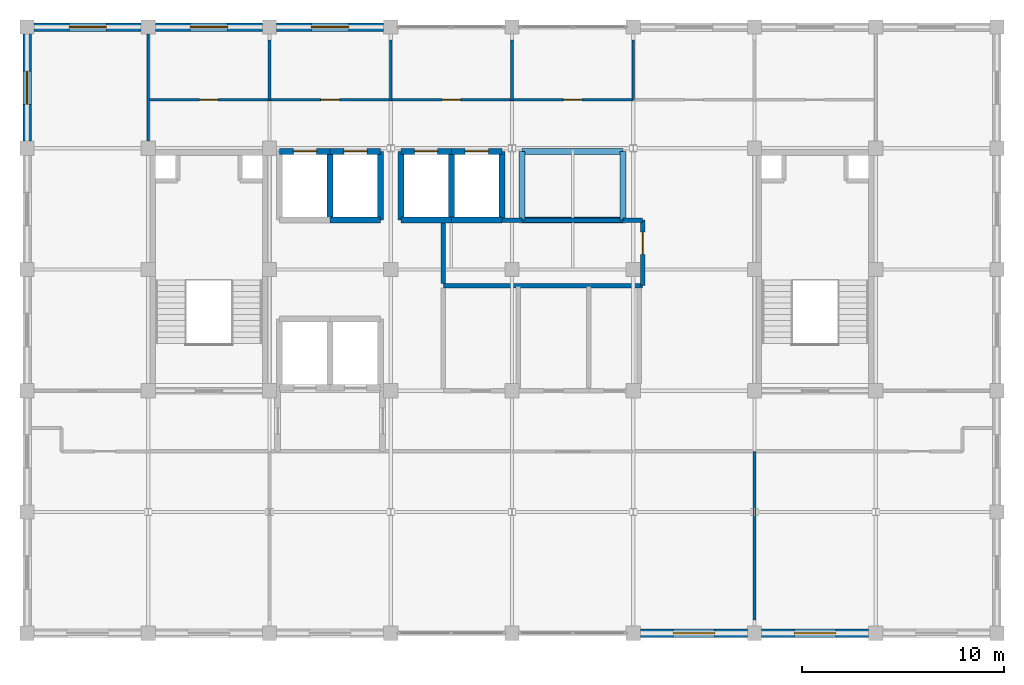
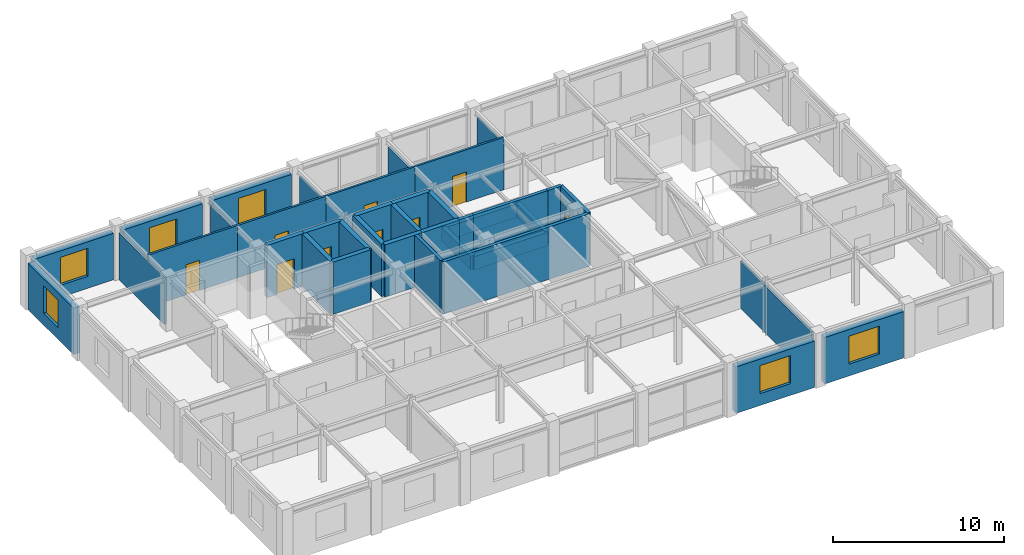
# One storey, part 10 of 13: 38 walls, 9 doors, 6 windows, 15 openings.
"""IFC4 building model written with IfcOpenShell, lengths in metres."""

from ifc_helpers import new_model, si_unit, direction, frame, frame_2d, origin, place, context, subcontext, project, spatial, rectangle, extrude, material, layer, layer_set, type_object, element, fill, save


model = new_model("IFC4")

# Units and contexts
model_context = context("Model", 3, precision=1e-05, world=origin(), true_north=direction((0.0, 1.0)))
body_context = subcontext(model_context, "Body", "Model", "MODEL_VIEW")
ifc_project = project(units=[si_unit("LENGTHUNIT", "METRE"), si_unit("AREAUNIT", "SQUARE_METRE"), si_unit("VOLUMEUNIT", "CUBIC_METRE"), si_unit("PLANEANGLEUNIT", "RADIAN"), si_unit("MASSUNIT", "GRAM", prefix="KILO")], contexts=[model_context])

# Site, building, storey
site_placement = place(None, origin())
site = spatial("IfcSite", under=ifc_project, at=site_placement, CompositionType="ELEMENT")
building_placement = place(site_placement, origin())
building = spatial("IfcBuilding", under=site, at=building_placement, Name="Zlatovratsky Civic Hall", CompositionType="ELEMENT")
storey_placement = place(building_placement, frame((0.0, 0.0, 44.39990234375)))
storey = spatial("IfcBuildingStorey", under=building, at=storey_placement, Name="L11", CompositionType="ELEMENT", Elevation=44.39990234375)

# Wall, opening, door
ifc_material_1 = material(Name="Fire-rated gypsum board framing", Category="gypsum")
ifc_layer_1 = layer(ifc_material_1, 0.139892578125)
ifc_layer_set_1 = layer_set([ifc_layer_1], Name="Fire-rated gypsum board framing")
wall_type_1 = type_object("IfcWallType", Name="Wall_OfficePartition_140", PredefinedType="PARTITIONING", material=ifc_layer_set_1)
wall_1_placement = place(storey_placement, frame((66.0, 98.39990234375, 0.0), z_axis=(0.0, 0.0, 1.0), x_axis=(1.0, 0.0, 0.0)))
wall_1 = element("IfcWall", 1, at=wall_1_placement, inside=storey, type_object=wall_type_1, Name="WL-6537", PredefinedType="PARTITIONING", context=body_context, shape_type="SweptSolid", body=[
    extrude(rectangle(XDim=6.0, YDim=0.139892578125, at=frame_2d((3.0, 0.0))), origin(), (0.0, 0.0, 1.0), 3.739990234375),
])
opening_1_placement = place(wall_1_placement, frame((2.5400390625, 0.0, 0.0)))
opening_1 = element("IfcOpeningElement", 2, at=opening_1_placement, cuts=wall_1, Name="Opening D-23", PredefinedType="OPENING", context=body_context, shape_type="SweptSolid", body=[
    extrude(rectangle(XDim=0.919921875, YDim=2.14990234375, at=frame_2d((0.4599609375, 1.074951171875))), frame((0.0, 0.0849609375, 0.0), z_axis=(0.0, -1.0, 0.0), x_axis=(1.0, 0.0, 0.0)), (0.0, 0.0, 1.0), 0.169677734375),
])
ifc_material_2 = material(Name="Solid oak joinery in steel frame", Category="steel")
door_type_1 = type_object("IfcDoorType", Name="Door_OfficeStandard_920x2150", OperationType="NOTDEFINED", PredefinedType="DOOR", material=ifc_material_2)
door_1_placement = place(opening_1_placement, origin())
door_1 = element("IfcDoor", 3, at=door_1_placement, inside=storey, type_object=door_type_1, Name="DR-5461", OperationType="SINGLE_SWING_RIGHT", OverallHeight=2.14990234375, OverallWidth=0.919921875, PredefinedType="DOOR", context=body_context, shape_type="SweptSolid", body=[
    extrude(rectangle(XDim=0.919921875, YDim=2.14990234375, at=frame_2d((0.4599609375, 1.074951171875))), frame((0.0, 0.02490234375, 0.0), z_axis=(0.0, -1.0, 0.0), x_axis=(1.0, 0.0, 0.0)), (0.0, 0.0, 1.0), 0.050048828125),
])
fill(opening_1, door_1)

wall_2_placement = place(storey_placement, frame((72.0, 98.39990234375, 0.0), z_axis=(0.0, 0.0, 1.0), x_axis=(1.0, 0.0, 0.0)))
wall_2 = element("IfcWall", 4, at=wall_2_placement, inside=storey, type_object=wall_type_1, Name="WL-6538", PredefinedType="PARTITIONING", context=body_context, shape_type="SweptSolid", body=[
    extrude(rectangle(XDim=6.0, YDim=0.139892578125, at=frame_2d((3.0, 0.0))), origin(), (0.0, 0.0, 1.0), 3.739990234375),
])
opening_2_placement = place(wall_2_placement, frame((2.5400390625, 0.0, 0.0)))
opening_2 = element("IfcOpeningElement", 5, at=opening_2_placement, cuts=wall_2, Name="Opening D-23", PredefinedType="OPENING", context=body_context, shape_type="SweptSolid", body=[
    extrude(rectangle(XDim=0.919921875, YDim=2.14990234375, at=frame_2d((0.4599609375, 1.074951171875))), frame((0.0, 0.0849609375, 0.0), z_axis=(0.0, -1.0, 0.0), x_axis=(1.0, 0.0, 0.0)), (0.0, 0.0, 1.0), 0.169677734375),
])
door_2_placement = place(opening_2_placement, origin())
door_2 = element("IfcDoor", 6, at=door_2_placement, inside=storey, type_object=door_type_1, Name="DR-5462", OperationType="SINGLE_SWING_RIGHT", OverallHeight=2.14990234375, OverallWidth=0.919921875, PredefinedType="DOOR", context=body_context, shape_type="SweptSolid", body=[
    extrude(rectangle(XDim=0.919921875, YDim=2.14990234375, at=frame_2d((0.4599609375, 1.074951171875))), frame((0.0, 0.02490234375, 0.0), z_axis=(0.0, -1.0, 0.0), x_axis=(1.0, 0.0, 0.0)), (0.0, 0.0, 1.0), 0.050048828125),
])
fill(opening_2, door_2)

wall_3_placement = place(storey_placement, frame((78.0, 98.39990234375, 0.0), z_axis=(0.0, 0.0, 1.0), x_axis=(1.0, 0.0, 0.0)))
wall_3 = element("IfcWall", 7, at=wall_3_placement, inside=storey, type_object=wall_type_1, Name="WL-6539", PredefinedType="PARTITIONING", context=body_context, shape_type="SweptSolid", body=[
    extrude(rectangle(XDim=6.0, YDim=0.139892578125, at=frame_2d((3.0, 0.0))), origin(), (0.0, 0.0, 1.0), 3.739990234375),
])
opening_3_placement = place(wall_3_placement, frame((2.5400390625, 0.0, 0.0)))
opening_3 = element("IfcOpeningElement", 8, at=opening_3_placement, cuts=wall_3, Name="Opening D-23", PredefinedType="OPENING", context=body_context, shape_type="SweptSolid", body=[
    extrude(rectangle(XDim=0.919921875, YDim=2.14990234375, at=frame_2d((0.4599609375, 1.074951171875))), frame((0.0, 0.0849609375, 0.0), z_axis=(0.0, -1.0, 0.0), x_axis=(1.0, 0.0, 0.0)), (0.0, 0.0, 1.0), 0.169677734375),
])
door_3_placement = place(opening_3_placement, origin())
door_3 = element("IfcDoor", 9, at=door_3_placement, inside=storey, type_object=door_type_1, Name="DR-5463", OperationType="SINGLE_SWING_RIGHT", OverallHeight=2.14990234375, OverallWidth=0.919921875, PredefinedType="DOOR", context=body_context, shape_type="SweptSolid", body=[
    extrude(rectangle(XDim=0.919921875, YDim=2.14990234375, at=frame_2d((0.4599609375, 1.074951171875))), frame((0.0, 0.02490234375, 0.0), z_axis=(0.0, -1.0, 0.0), x_axis=(1.0, 0.0, 0.0)), (0.0, 0.0, 1.0), 0.050048828125),
])
fill(opening_3, door_3)

wall_4_placement = place(storey_placement, frame((84.0, 98.39990234375, 0.0), z_axis=(0.0, 0.0, 1.0), x_axis=(1.0, 0.0, 0.0)))
wall_4 = element("IfcWall", 10, at=wall_4_placement, inside=storey, type_object=wall_type_1, Name="WL-6540", PredefinedType="PARTITIONING", context=body_context, shape_type="SweptSolid", body=[
    extrude(rectangle(XDim=6.0, YDim=0.139892578125, at=frame_2d((3.0, 0.0))), origin(), (0.0, 0.0, 1.0), 3.739990234375),
])
opening_4_placement = place(wall_4_placement, frame((2.5400390625, 0.0, 0.0)))
opening_4 = element("IfcOpeningElement", 11, at=opening_4_placement, cuts=wall_4, Name="Opening D-23", PredefinedType="OPENING", context=body_context, shape_type="SweptSolid", body=[
    extrude(rectangle(XDim=0.919921875, YDim=2.14990234375, at=frame_2d((0.4599609375, 1.074951171875))), frame((0.0, 0.0849609375, 0.0), z_axis=(0.0, -1.0, 0.0), x_axis=(1.0, 0.0, 0.0)), (0.0, 0.0, 1.0), 0.169677734375),
])
door_4_placement = place(opening_4_placement, origin())
door_4 = element("IfcDoor", 12, at=door_4_placement, inside=storey, type_object=door_type_1, Name="DR-5464", OperationType="SINGLE_SWING_RIGHT", OverallHeight=2.14990234375, OverallWidth=0.919921875, PredefinedType="DOOR", context=body_context, shape_type="SweptSolid", body=[
    extrude(rectangle(XDim=0.919921875, YDim=2.14990234375, at=frame_2d((0.4599609375, 1.074951171875))), frame((0.0, 0.02490234375, 0.0), z_axis=(0.0, -1.0, 0.0), x_axis=(1.0, 0.0, 0.0)), (0.0, 0.0, 1.0), 0.050048828125),
])
fill(opening_4, door_4)

# Walls
wall_5_placement = place(storey_placement, frame((96.0, 72.64990234375, 0.0), z_axis=(0.0, 0.0, 1.0), x_axis=(0.0, 1.0, 0.0)))
element("IfcWall", 13, at=wall_5_placement, inside=storey, type_object=wall_type_1, Name="WL-6544", PredefinedType="PARTITIONING", context=body_context, shape_type="SweptSolid", body=[
    extrude(rectangle(XDim=8.35009765625, YDim=0.139892578125, at=frame_2d((4.175048828125, 0.0))), origin(), (0.0, 0.0, 1.0), 3.34814453125),
])
for number, where, z_axis, x_axis, name in (
    (14, (72.0, 98.39990234375, 0.0), (0.0, 0.0, 1.0), (0.0, 1.0, 0.0), "WL-6545"),
    (15, (78.0, 98.39990234375, 0.0), (0.0, 0.0, 1.0), (0.0, 1.0, 0.0), "WL-6546"),
    (16, (84.0, 98.39990234375, 0.0), (0.0, 0.0, 1.0), (0.0, 1.0, 0.0), "WL-6547"),
    (17, (90.0, 98.39990234375, 0.0), (0.0, 0.0, 1.0), (0.0, 1.0, 0.0), "WL-6548"),
):
    element("IfcWall", number, at=place(storey_placement, frame(where, z_axis=z_axis, x_axis=x_axis)), inside=storey, type_object=wall_type_1, Name=name, PredefinedType="PARTITIONING", context=body_context, shape_type="SweptSolid", body=[
        extrude(rectangle(XDim=2.9501953125, YDim=0.139892578125, at=frame_2d((1.47509765625, 0.0))), origin(), (0.0, 0.0, 1.0), 3.34814453125),
    ])
wall_6_placement = place(storey_placement, frame((66.0, 96.35009765625, 0.0), z_axis=(0.0, 0.0, 1.0), x_axis=(0.0, 1.0, 0.0)))
element("IfcWall", 18, at=wall_6_placement, inside=storey, type_object=wall_type_1, Name="WL-6562", PredefinedType="PARTITIONING", context=body_context, shape_type="SweptSolid", body=[
    extrude(rectangle(XDim=5.2998046875, YDim=0.139892578125, at=frame_2d((2.64990234375, 0.0))), origin(), (0.0, 0.0, 1.0), 3.34814453125),
])
ifc_material_3 = material(Name="Acoustic ceramic blockwork", Category="masonry")
ifc_layer_2 = layer(ifc_material_3, 0.219970703125)
ifc_layer_set_2 = layer_set([ifc_layer_2], Name="Acoustic ceramic blockwork")
wall_type_2 = type_object("IfcWallType", Name="Wall_SanitaryWetCore_220", PredefinedType="PARTITIONING", material=ifc_layer_set_2)
wall_7_placement = place(storey_placement, frame((80.60009765625, 89.199951171875, 0.0), z_axis=(0.0, 0.0, 1.0), x_axis=(1.0, 0.0, 0.0)))
element("IfcWall", 19, at=wall_7_placement, inside=storey, type_object=wall_type_2, Name="WL-6530", PredefinedType="PARTITIONING", context=body_context, shape_type="SweptSolid", body=[
    extrude(rectangle(XDim=9.869873046875, YDim=0.219970703125, at=frame_2d((4.93505859375, 0.0))), origin(), (0.0, 0.0, 1.0), 3.739990234375),
])

# Wall, opening, door
wall_8_placement = place(storey_placement, frame((90.469970703125, 89.199951171875, 0.0), z_axis=(0.0, 0.0, 1.0), x_axis=(0.0, 1.0, 0.0)))
wall_8 = element("IfcWall", 20, at=wall_8_placement, inside=storey, type_object=wall_type_2, Name="WL-6531", PredefinedType="PARTITIONING", context=body_context, shape_type="SweptSolid", body=[
    extrude(rectangle(XDim=3.25, YDim=0.219970703125, at=frame_2d((1.625, 0.0))), origin(), (0.0, 0.0, 1.0), 3.739990234375),
])
opening_5_placement = place(wall_8_placement, frame((1.550048828125, 0.0, 0.0)))
opening_5 = element("IfcOpeningElement", 21, at=opening_5_placement, cuts=wall_8, Name="Opening D-30", PredefinedType="OPENING", context=body_context, shape_type="SweptSolid", body=[
    extrude(rectangle(XDim=1.10009765625, YDim=2.14990234375, at=frame_2d((0.550048828125, 1.074951171875))), frame((0.0, 0.125, 0.0), z_axis=(0.0, -1.0, 0.0), x_axis=(1.0, 0.0, 0.0)), (0.0, 0.0, 1.0), 0.249755859375),
])
ifc_material_4 = material(Name="Insulated painted fire-rated steel leaf", Category="steel")
door_type_2 = type_object("IfcDoorType", Name="Door_ElectricalRoom_1100x2150", OperationType="NOTDEFINED", PredefinedType="DOOR", material=ifc_material_4)
door_5_placement = place(opening_5_placement, origin())
door_5 = element("IfcDoor", 22, at=door_5_placement, inside=storey, type_object=door_type_2, Name="DR-5455", OperationType="SINGLE_SWING_RIGHT", OverallHeight=2.14990234375, OverallWidth=1.10009765625, PredefinedType="DOOR", context=body_context, shape_type="SweptSolid", body=[
    extrude(rectangle(XDim=1.10009765625, YDim=2.14990234375, at=frame_2d((0.550048828125, 1.074951171875))), frame((0.0, 0.02490234375, 0.0), z_axis=(0.0, -1.0, 0.0), x_axis=(1.0, 0.0, 0.0)), (0.0, 0.0, 1.0), 0.050048828125),
])
fill(opening_5, door_5)

# Walls
wall_9_placement = place(storey_placement, frame((80.60009765625, 89.31005859375, 0.0), z_axis=(0.0, 0.0, 1.0), x_axis=(0.0, 1.0, 0.0)))
element("IfcWall", 23, at=wall_9_placement, inside=storey, type_object=wall_type_2, Name="WL-6552", PredefinedType="PARTITIONING", context=body_context, shape_type="SweptSolid", body=[
    extrude(rectangle(XDim=2.989990234375, YDim=0.219970703125, at=frame_2d((1.4951171875, 0.0))), origin(), (0.0, 0.0, 1.0), 3.739990234375),
])
wall_10_placement = place(storey_placement, frame((83.5, 92.449951171875, 0.0), z_axis=(0.0, 0.0, 1.0), x_axis=(1.0, 0.0, 0.0)))
element("IfcWall", 24, at=wall_10_placement, inside=storey, type_object=wall_type_2, Name="WL-6553", PredefinedType="PARTITIONING", context=body_context, shape_type="SweptSolid", body=[
    extrude(rectangle(XDim=1.0, YDim=0.219970703125, at=frame_2d((0.5, 0.0))), origin(), (0.0, 0.0, 1.0), 3.739990234375),
])
wall_11_placement = place(storey_placement, frame((84.5, 92.449951171875, 0.800048828125), z_axis=(0.0, 0.0, 1.0), x_axis=(1.0, 0.0, 0.0)))
element("IfcWall", 25, at=wall_11_placement, inside=storey, type_object=wall_type_2, Name="WL-6554", PredefinedType="PARTITIONING", context=body_context, shape_type="SweptSolid", body=[
    extrude(rectangle(XDim=5.0, YDim=0.219970703125, at=frame_2d((2.5, 0.0))), origin(), (0.0, 0.0, 1.0), 2.93994140625),
])
wall_12_placement = place(storey_placement, frame((89.5, 92.449951171875, 0.0), z_axis=(0.0, 0.0, 1.0), x_axis=(1.0, 0.0, 0.0)))
element("IfcWall", 26, at=wall_12_placement, inside=storey, type_object=wall_type_2, Name="WL-6555", PredefinedType="PARTITIONING", context=body_context, shape_type="SweptSolid", body=[
    extrude(rectangle(XDim=0.969970703125, YDim=0.219970703125, at=frame_2d((0.48486328125, 0.0))), origin(), (0.0, 0.0, 1.0), 3.739990234375),
])

# Wall, opening, door
ifc_material_5 = material(Name="Concrete C35/45 (B40)", Category="concrete")
ifc_layer_3 = layer(ifc_material_5, 0.300048828125)
ifc_layer_set_3 = layer_set([ifc_layer_3], Name="Concrete C35/45 (B40)")
wall_type_3 = type_object("IfcWallType", Name="Wall_StairAndLiftShaft_300", PredefinedType="SHEAR", material=ifc_layer_set_3)
wall_13_placement = place(storey_placement, frame((72.5, 95.85009765625, 0.0), z_axis=(0.0, 0.0, 1.0), x_axis=(1.0, 0.0, 0.0)))
wall_13 = element("IfcWall", 27, at=wall_13_placement, inside=storey, type_object=wall_type_3, Name="WL-5659", PredefinedType="SHEAR", context=body_context, shape_type="SweptSolid", body=[
    extrude(rectangle(XDim=2.5, YDim=0.300048828125, at=frame_2d((1.25, 0.0))), origin(), (0.0, 0.0, 1.0), 3.739990234375),
])
opening_6_placement = place(wall_13_placement, frame((0.675048828125, 0.0, 0.0)))
opening_6 = element("IfcOpeningElement", 28, at=opening_6_placement, cuts=wall_13, Name="Opening LD-02", PredefinedType="OPENING", context=body_context, shape_type="SweptSolid", body=[
    extrude(rectangle(XDim=1.14990234375, YDim=2.14990234375, at=frame_2d((0.574951171875, 1.074951171875))), frame((0.0, 0.1650390625, 0.0), z_axis=(0.0, -1.0, 0.0), x_axis=(1.0, 0.0, 0.0)), (0.0, 0.0, 1.0), 0.329833984375),
])
ifc_material_6 = material(Name="Brushed stainless steel AISI 304", Category="steel")
door_type_3 = type_object("IfcDoorType", Name="Door_LiftLandingHighRise_1150x2150", OperationType="DOUBLE_DOOR_SLIDING", PredefinedType="DOOR", material=ifc_material_6)
door_6_placement = place(opening_6_placement, origin())
door_6 = element("IfcDoor", 29, at=door_6_placement, inside=storey, type_object=door_type_3, Name="Lift landing door LD-5108", OperationType="DOUBLE_DOOR_SLIDING", OverallHeight=2.14990234375, OverallWidth=1.14990234375, PredefinedType="DOOR", context=body_context, shape_type="SweptSolid", body=[
    extrude(rectangle(XDim=1.14990234375, YDim=2.14990234375, at=frame_2d((0.574951171875, 1.074951171875))), frame((0.0, 0.02490234375, 0.0), z_axis=(0.0, -1.0, 0.0), x_axis=(1.0, 0.0, 0.0)), (0.0, 0.0, 1.0), 0.050048828125),
])
fill(opening_6, door_6)

wall_14_placement = place(storey_placement, frame((75.0, 95.85009765625, 0.0), z_axis=(0.0, 0.0, 1.0), x_axis=(1.0, 0.0, 0.0)))
wall_14 = element("IfcWall", 30, at=wall_14_placement, inside=storey, type_object=wall_type_3, Name="WL-5727", PredefinedType="SHEAR", context=body_context, shape_type="SweptSolid", body=[
    extrude(rectangle(XDim=2.5, YDim=0.300048828125, at=frame_2d((1.25, 0.0))), origin(), (0.0, 0.0, 1.0), 3.739990234375),
])
opening_7_placement = place(wall_14_placement, frame((0.675048828125, 0.0, 0.0)))
opening_7 = element("IfcOpeningElement", 31, at=opening_7_placement, cuts=wall_14, Name="Opening LD-02", PredefinedType="OPENING", context=body_context, shape_type="SweptSolid", body=[
    extrude(rectangle(XDim=1.14990234375, YDim=2.14990234375, at=frame_2d((0.574951171875, 1.074951171875))), frame((0.0, 0.1650390625, 0.0), z_axis=(0.0, -1.0, 0.0), x_axis=(1.0, 0.0, 0.0)), (0.0, 0.0, 1.0), 0.329833984375),
])
door_7_placement = place(opening_7_placement, origin())
door_7 = element("IfcDoor", 32, at=door_7_placement, inside=storey, type_object=door_type_3, Name="Lift landing door LD-5127", OperationType="DOUBLE_DOOR_SLIDING", OverallHeight=2.14990234375, OverallWidth=1.14990234375, PredefinedType="DOOR", context=body_context, shape_type="SweptSolid", body=[
    extrude(rectangle(XDim=1.14990234375, YDim=2.14990234375, at=frame_2d((0.574951171875, 1.074951171875))), frame((0.0, 0.02490234375, 0.0), z_axis=(0.0, -1.0, 0.0), x_axis=(1.0, 0.0, 0.0)), (0.0, 0.0, 1.0), 0.050048828125),
])
fill(opening_7, door_7)

# Walls
wall_15_placement = place(storey_placement, frame((75.0, 92.449951171875, 0.0), z_axis=(0.0, 0.0, 1.0), x_axis=(1.0, 0.0, 0.0)))
element("IfcWall", 33, at=wall_15_placement, inside=storey, type_object=wall_type_3, Name="WL-5728", PredefinedType="SHEAR", context=body_context, shape_type="SweptSolid", body=[
    extrude(rectangle(XDim=2.5, YDim=0.300048828125, at=frame_2d((1.25, 0.0))), origin(), (0.0, 0.0, 1.0), 3.739990234375),
])
for number, where, z_axis, x_axis, name in (
    (34, (75.0, 92.449951171875, 0.0), (0.0, 0.0, 1.0), (0.0, 1.0, 0.0), "WL-5729"),
    (35, (77.5, 92.449951171875, 0.0), (0.0, 0.0, 1.0), (0.0, 1.0, 0.0), "WL-5730"),
):
    element("IfcWall", number, at=place(storey_placement, frame(where, z_axis=z_axis, x_axis=x_axis)), inside=storey, type_object=wall_type_3, Name=name, PredefinedType="SHEAR", context=body_context, shape_type="SweptSolid", body=[
        extrude(rectangle(XDim=3.400146484375, YDim=0.300048828125, at=frame_2d((1.7001953125, 0.0))), origin(), (0.0, 0.0, 1.0), 3.739990234375),
    ])

# Wall, opening, door
wall_16_placement = place(storey_placement, frame((78.5, 95.85009765625, 0.0), z_axis=(0.0, 0.0, 1.0), x_axis=(1.0, 0.0, 0.0)))
wall_16 = element("IfcWall", 36, at=wall_16_placement, inside=storey, type_object=wall_type_3, Name="WL-5792", PredefinedType="SHEAR", context=body_context, shape_type="SweptSolid", body=[
    extrude(rectangle(XDim=2.5, YDim=0.300048828125, at=frame_2d((1.25, 0.0))), origin(), (0.0, 0.0, 1.0), 3.739990234375),
])
opening_8_placement = place(wall_16_placement, frame((0.675048828125, 0.0, 0.0)))
opening_8 = element("IfcOpeningElement", 37, at=opening_8_placement, cuts=wall_16, Name="Opening LD-02", PredefinedType="OPENING", context=body_context, shape_type="SweptSolid", body=[
    extrude(rectangle(XDim=1.14990234375, YDim=2.14990234375, at=frame_2d((0.574951171875, 1.074951171875))), frame((0.0, 0.1650390625, 0.0), z_axis=(0.0, -1.0, 0.0), x_axis=(1.0, 0.0, 0.0)), (0.0, 0.0, 1.0), 0.329833984375),
])
door_8_placement = place(opening_8_placement, origin())
door_8 = element("IfcDoor", 38, at=door_8_placement, inside=storey, type_object=door_type_3, Name="Lift landing door LD-5146", OperationType="DOUBLE_DOOR_SLIDING", OverallHeight=2.14990234375, OverallWidth=1.14990234375, PredefinedType="DOOR", context=body_context, shape_type="SweptSolid", body=[
    extrude(rectangle(XDim=1.14990234375, YDim=2.14990234375, at=frame_2d((0.574951171875, 1.074951171875))), frame((0.0, 0.02490234375, 0.0), z_axis=(0.0, -1.0, 0.0), x_axis=(1.0, 0.0, 0.0)), (0.0, 0.0, 1.0), 0.050048828125),
])
fill(opening_8, door_8)

# Walls
wall_17_placement = place(storey_placement, frame((78.5, 92.449951171875, 0.0), z_axis=(0.0, 0.0, 1.0), x_axis=(1.0, 0.0, 0.0)))
element("IfcWall", 39, at=wall_17_placement, inside=storey, type_object=wall_type_3, Name="WL-5793", PredefinedType="SHEAR", context=body_context, shape_type="SweptSolid", body=[
    extrude(rectangle(XDim=2.5, YDim=0.300048828125, at=frame_2d((1.25, 0.0))), origin(), (0.0, 0.0, 1.0), 3.739990234375),
])
wall_18_placement = place(storey_placement, frame((78.5, 92.449951171875, 0.0), z_axis=(0.0, 0.0, 1.0), x_axis=(0.0, 1.0, 0.0)))
element("IfcWall", 40, at=wall_18_placement, inside=storey, type_object=wall_type_3, Name="WL-5794", PredefinedType="SHEAR", context=body_context, shape_type="SweptSolid", body=[
    extrude(rectangle(XDim=3.400146484375, YDim=0.300048828125, at=frame_2d((1.7001953125, 0.0))), origin(), (0.0, 0.0, 1.0), 3.739990234375),
])

# Wall, opening, door
wall_19_placement = place(storey_placement, frame((81.0, 95.85009765625, 0.0), z_axis=(0.0, 0.0, 1.0), x_axis=(1.0, 0.0, 0.0)))
wall_19 = element("IfcWall", 41, at=wall_19_placement, inside=storey, type_object=wall_type_3, Name="WL-5860", PredefinedType="SHEAR", context=body_context, shape_type="SweptSolid", body=[
    extrude(rectangle(XDim=2.5, YDim=0.300048828125, at=frame_2d((1.25, 0.0))), origin(), (0.0, 0.0, 1.0), 3.739990234375),
])
opening_9_placement = place(wall_19_placement, frame((0.675048828125, 0.0, 0.0)))
opening_9 = element("IfcOpeningElement", 42, at=opening_9_placement, cuts=wall_19, Name="Opening LD-02", PredefinedType="OPENING", context=body_context, shape_type="SweptSolid", body=[
    extrude(rectangle(XDim=1.14990234375, YDim=2.14990234375, at=frame_2d((0.574951171875, 1.074951171875))), frame((0.0, 0.1650390625, 0.0), z_axis=(0.0, -1.0, 0.0), x_axis=(1.0, 0.0, 0.0)), (0.0, 0.0, 1.0), 0.329833984375),
])
door_9_placement = place(opening_9_placement, origin())
door_9 = element("IfcDoor", 43, at=door_9_placement, inside=storey, type_object=door_type_3, Name="Lift landing door LD-5165", OperationType="DOUBLE_DOOR_SLIDING", OverallHeight=2.14990234375, OverallWidth=1.14990234375, PredefinedType="DOOR", context=body_context, shape_type="SweptSolid", body=[
    extrude(rectangle(XDim=1.14990234375, YDim=2.14990234375, at=frame_2d((0.574951171875, 1.074951171875))), frame((0.0, 0.02490234375, 0.0), z_axis=(0.0, -1.0, 0.0), x_axis=(1.0, 0.0, 0.0)), (0.0, 0.0, 1.0), 0.050048828125),
])
fill(opening_9, door_9)

# Walls
wall_20_placement = place(storey_placement, frame((81.0, 92.449951171875, 0.0), z_axis=(0.0, 0.0, 1.0), x_axis=(1.0, 0.0, 0.0)))
element("IfcWall", 44, at=wall_20_placement, inside=storey, type_object=wall_type_3, Name="WL-5861", PredefinedType="SHEAR", context=body_context, shape_type="SweptSolid", body=[
    extrude(rectangle(XDim=2.5, YDim=0.300048828125, at=frame_2d((1.25, 0.0))), origin(), (0.0, 0.0, 1.0), 3.739990234375),
])
for number, where, z_axis, x_axis, name in (
    (45, (81.0, 92.449951171875, 0.0), (0.0, 0.0, 1.0), (0.0, 1.0, 0.0), "WL-5862"),
    (46, (83.5, 92.449951171875, 0.0), (0.0, 0.0, 1.0), (0.0, 1.0, 0.0), "WL-5863"),
):
    element("IfcWall", number, at=place(storey_placement, frame(where, z_axis=z_axis, x_axis=x_axis)), inside=storey, type_object=wall_type_3, Name=name, PredefinedType="SHEAR", context=body_context, shape_type="SweptSolid", body=[
        extrude(rectangle(XDim=3.400146484375, YDim=0.300048828125, at=frame_2d((1.7001953125, 0.0))), origin(), (0.0, 0.0, 1.0), 3.739990234375),
    ])
for number, where, z_axis, x_axis, name in (
    (47, (84.5, 92.449951171875, -0.159912109375), (0.0, 0.0, 1.0), (1.0, 0.0, 0.0), "WL-6021"),
    (48, (84.5, 95.85009765625, -0.159912109375), (0.0, 0.0, 1.0), (1.0, 0.0, 0.0), "WL-6022"),
):
    element("IfcWall", number, at=place(storey_placement, frame(where, z_axis=z_axis, x_axis=x_axis)), inside=storey, type_object=wall_type_3, Name=name, PredefinedType="SHEAR", context=body_context, shape_type="SweptSolid", body=[
        extrude(rectangle(XDim=5.0, YDim=0.300048828125, at=frame_2d((2.5, 0.0))), origin(), (0.0, 0.0, 1.0), 0.9599609375),
    ])
for number, where, z_axis, x_axis, name in (
    (49, (84.5, 92.449951171875, -0.159912109375), (0.0, 0.0, 1.0), (0.0, 1.0, 0.0), "WL-6023"),
    (50, (89.5, 92.449951171875, -0.159912109375), (0.0, 0.0, 1.0), (0.0, 1.0, 0.0), "WL-6024"),
):
    element("IfcWall", number, at=place(storey_placement, frame(where, z_axis=z_axis, x_axis=x_axis)), inside=storey, type_object=wall_type_3, Name=name, PredefinedType="SHEAR", context=body_context, shape_type="SweptSolid", body=[
        extrude(rectangle(XDim=3.400146484375, YDim=0.300048828125, at=frame_2d((1.7001953125, 0.0))), origin(), (0.0, 0.0, 1.0), 0.9599609375),
    ])

# Wall, opening, window
ifc_layer_4 = layer(ifc_material_3, 0.280029296875, Name="Backing")
ifc_material_7 = material(Name="Podolsk limestone ashlar", Category="masonry")
ifc_layer_5 = layer(ifc_material_7, 0.139892578125, Name="Finish")
ifc_layer_set_4 = layer_set([ifc_layer_4, ifc_layer_5], Name="Acoustic ceramic blockwork")
wall_type_4 = type_object("IfcWallType", Name="Wall_TowerLimestoneAshlar_420", PredefinedType="SOLIDWALL", material=ifc_layer_set_4)
wall_21_placement = place(storey_placement, frame((90.35009765625, 72.0, 0.0), z_axis=(0.0, 0.0, 1.0), x_axis=(1.0, 0.0, 0.0)))
wall_21 = element("IfcWall", 51, at=wall_21_placement, inside=storey, type_object=wall_type_4, Name="WL-0548", PredefinedType="SOLIDWALL", context=body_context, shape_type="SweptSolid", body=[
    extrude(rectangle(XDim=5.2998046875, YDim=0.419921875, at=frame_2d((2.64990234375, 0.0))), origin(), (0.0, 0.0, 1.0), 3.320068359375),
])
opening_10_placement = place(wall_21_placement, frame((1.625, 0.0, 0.85009765625)))
opening_10 = element("IfcOpeningElement", 52, at=opening_10_placement, cuts=wall_21, Name="Opening WN-17", PredefinedType="OPENING", context=body_context, shape_type="SweptSolid", body=[
    extrude(rectangle(XDim=2.050048828125, YDim=2.0, at=frame_2d((1.02490234375, 1.0))), frame((0.0, 0.224853515625, 0.0), z_axis=(0.0, -1.0, 0.0), x_axis=(1.0, 0.0, 0.0)), (0.0, 0.0, 1.0), 0.44970703125),
])
ifc_material_8 = material(Name="Low-E laminated double glazing", Category="glass")
window_type_1 = type_object("IfcWindowType", Name="Window_TowerTier2South_2050x2000", PartitioningType="SINGLE_PANEL", PredefinedType="WINDOW", material=ifc_material_8)
window_1_placement = place(opening_10_placement, origin())
window_1 = element("IfcWindow", 53, at=window_1_placement, inside=storey, type_object=window_type_1, Name="WN-0422", OverallHeight=2.0, OverallWidth=2.050048828125, PartitioningType="SINGLE_PANEL", PredefinedType="WINDOW", context=body_context, shape_type="SweptSolid", body=[
    extrude(rectangle(XDim=2.050048828125, YDim=2.0, at=frame_2d((1.02490234375, 1.0))), frame((0.0, 0.030029296875, 0.0), z_axis=(0.0, -1.0, 0.0), x_axis=(1.0, 0.0, 0.0)), (0.0, 0.0, 1.0), 0.06005859375),
])
fill(opening_10, window_1)

wall_22_placement = place(storey_placement, frame((96.35009765625, 72.0, 0.0), z_axis=(0.0, 0.0, 1.0), x_axis=(1.0, 0.0, 0.0)))
wall_22 = element("IfcWall", 54, at=wall_22_placement, inside=storey, type_object=wall_type_4, Name="WL-0549", PredefinedType="SOLIDWALL", context=body_context, shape_type="SweptSolid", body=[
    extrude(rectangle(XDim=5.2998046875, YDim=0.419921875, at=frame_2d((2.64990234375, 0.0))), origin(), (0.0, 0.0, 1.0), 3.320068359375),
])
opening_11_placement = place(wall_22_placement, frame((1.625, 0.0, 0.85009765625)))
opening_11 = element("IfcOpeningElement", 55, at=opening_11_placement, cuts=wall_22, Name="Opening WN-17", PredefinedType="OPENING", context=body_context, shape_type="SweptSolid", body=[
    extrude(rectangle(XDim=2.050048828125, YDim=2.0, at=frame_2d((1.02490234375, 1.0))), frame((0.0, 0.224853515625, 0.0), z_axis=(0.0, -1.0, 0.0), x_axis=(1.0, 0.0, 0.0)), (0.0, 0.0, 1.0), 0.44970703125),
])
window_2_placement = place(opening_11_placement, origin())
window_2 = element("IfcWindow", 56, at=window_2_placement, inside=storey, type_object=window_type_1, Name="WN-0423", OverallHeight=2.0, OverallWidth=2.050048828125, PartitioningType="SINGLE_PANEL", PredefinedType="WINDOW", context=body_context, shape_type="SweptSolid", body=[
    extrude(rectangle(XDim=2.050048828125, YDim=2.0, at=frame_2d((1.02490234375, 1.0))), frame((0.0, 0.030029296875, 0.0), z_axis=(0.0, -1.0, 0.0), x_axis=(1.0, 0.0, 0.0)), (0.0, 0.0, 1.0), 0.06005859375),
])
fill(opening_11, window_2)

wall_23_placement = place(storey_placement, frame((60.35009765625, 102.0, 0.0), z_axis=(0.0, 0.0, 1.0), x_axis=(1.0, 0.0, 0.0)))
wall_23 = element("IfcWall", 57, at=wall_23_placement, inside=storey, type_object=wall_type_4, Name="WL-0551", PredefinedType="SOLIDWALL", context=body_context, shape_type="SweptSolid", body=[
    extrude(rectangle(XDim=5.2998046875, YDim=0.419921875, at=frame_2d((2.64990234375, 0.0))), origin(), (0.0, 0.0, 1.0), 3.320068359375),
])
opening_12_placement = place(wall_23_placement, frame((1.72509765625, 0.0, 0.85009765625)))
opening_12 = element("IfcOpeningElement", 58, at=opening_12_placement, cuts=wall_23, Name="Opening WN-18", PredefinedType="OPENING", context=body_context, shape_type="SweptSolid", body=[
    extrude(rectangle(XDim=1.85009765625, YDim=2.0, at=frame_2d((0.925048828125, 1.0))), frame((0.0, 0.224853515625, 0.0), z_axis=(0.0, -1.0, 0.0), x_axis=(1.0, 0.0, 0.0)), (0.0, 0.0, 1.0), 0.44970703125),
])
window_type_2 = type_object("IfcWindowType", Name="Window_TowerTier2North_1850x2000", PartitioningType="SINGLE_PANEL", PredefinedType="WINDOW", material=ifc_material_8)
window_3_placement = place(opening_12_placement, origin())
window_3 = element("IfcWindow", 59, at=window_3_placement, inside=storey, type_object=window_type_2, Name="WN-0425", OverallHeight=2.0, OverallWidth=1.85009765625, PartitioningType="SINGLE_PANEL", PredefinedType="WINDOW", context=body_context, shape_type="SweptSolid", body=[
    extrude(rectangle(XDim=1.85009765625, YDim=2.0, at=frame_2d((0.925048828125, 1.0))), frame((0.0, 0.030029296875, 0.0), z_axis=(0.0, -1.0, 0.0), x_axis=(1.0, 0.0, 0.0)), (0.0, 0.0, 1.0), 0.06005859375),
])
fill(opening_12, window_3)

wall_24_placement = place(storey_placement, frame((66.35009765625, 102.0, 0.0), z_axis=(0.0, 0.0, 1.0), x_axis=(1.0, 0.0, 0.0)))
wall_24 = element("IfcWall", 60, at=wall_24_placement, inside=storey, type_object=wall_type_4, Name="WL-0552", PredefinedType="SOLIDWALL", context=body_context, shape_type="SweptSolid", body=[
    extrude(rectangle(XDim=5.2998046875, YDim=0.419921875, at=frame_2d((2.64990234375, 0.0))), origin(), (0.0, 0.0, 1.0), 3.320068359375),
])
opening_13_placement = place(wall_24_placement, frame((1.72509765625, 0.0, 0.85009765625)))
opening_13 = element("IfcOpeningElement", 61, at=opening_13_placement, cuts=wall_24, Name="Opening WN-18", PredefinedType="OPENING", context=body_context, shape_type="SweptSolid", body=[
    extrude(rectangle(XDim=1.85009765625, YDim=2.0, at=frame_2d((0.925048828125, 1.0))), frame((0.0, 0.224853515625, 0.0), z_axis=(0.0, -1.0, 0.0), x_axis=(1.0, 0.0, 0.0)), (0.0, 0.0, 1.0), 0.44970703125),
])
window_4_placement = place(opening_13_placement, origin())
window_4 = element("IfcWindow", 62, at=window_4_placement, inside=storey, type_object=window_type_2, Name="WN-0426", OverallHeight=2.0, OverallWidth=1.85009765625, PartitioningType="SINGLE_PANEL", PredefinedType="WINDOW", context=body_context, shape_type="SweptSolid", body=[
    extrude(rectangle(XDim=1.85009765625, YDim=2.0, at=frame_2d((0.925048828125, 1.0))), frame((0.0, 0.030029296875, 0.0), z_axis=(0.0, -1.0, 0.0), x_axis=(1.0, 0.0, 0.0)), (0.0, 0.0, 1.0), 0.06005859375),
])
fill(opening_13, window_4)

wall_25_placement = place(storey_placement, frame((72.35009765625, 102.0, 0.0), z_axis=(0.0, 0.0, 1.0), x_axis=(1.0, 0.0, 0.0)))
wall_25 = element("IfcWall", 63, at=wall_25_placement, inside=storey, type_object=wall_type_4, Name="WL-0553", PredefinedType="SOLIDWALL", context=body_context, shape_type="SweptSolid", body=[
    extrude(rectangle(XDim=5.2998046875, YDim=0.419921875, at=frame_2d((2.64990234375, 0.0))), origin(), (0.0, 0.0, 1.0), 3.320068359375),
])
opening_14_placement = place(wall_25_placement, frame((1.72509765625, 0.0, 0.85009765625)))
opening_14 = element("IfcOpeningElement", 64, at=opening_14_placement, cuts=wall_25, Name="Opening WN-18", PredefinedType="OPENING", context=body_context, shape_type="SweptSolid", body=[
    extrude(rectangle(XDim=1.85009765625, YDim=2.0, at=frame_2d((0.925048828125, 1.0))), frame((0.0, 0.224853515625, 0.0), z_axis=(0.0, -1.0, 0.0), x_axis=(1.0, 0.0, 0.0)), (0.0, 0.0, 1.0), 0.44970703125),
])
window_5_placement = place(opening_14_placement, origin())
window_5 = element("IfcWindow", 65, at=window_5_placement, inside=storey, type_object=window_type_2, Name="WN-0427", OverallHeight=2.0, OverallWidth=1.85009765625, PartitioningType="SINGLE_PANEL", PredefinedType="WINDOW", context=body_context, shape_type="SweptSolid", body=[
    extrude(rectangle(XDim=1.85009765625, YDim=2.0, at=frame_2d((0.925048828125, 1.0))), frame((0.0, 0.030029296875, 0.0), z_axis=(0.0, -1.0, 0.0), x_axis=(1.0, 0.0, 0.0)), (0.0, 0.0, 1.0), 0.06005859375),
])
fill(opening_14, window_5)

wall_26_placement = place(storey_placement, frame((60.0, 96.35009765625, 0.0), z_axis=(0.0, 0.0, 1.0), x_axis=(0.0, 1.0, 0.0)))
wall_26 = element("IfcWall", 66, at=wall_26_placement, inside=storey, type_object=wall_type_4, Name="WL-0561", PredefinedType="SOLIDWALL", context=body_context, shape_type="SweptSolid", body=[
    extrude(rectangle(XDim=5.2998046875, YDim=0.419921875, at=frame_2d((2.64990234375, 0.0))), origin(), (0.0, 0.0, 1.0), 3.320068359375),
])
opening_15_placement = place(wall_26_placement, frame((1.824951171875, 0.0, 0.85009765625)))
opening_15 = element("IfcOpeningElement", 67, at=opening_15_placement, cuts=wall_26, Name="Opening WN-19", PredefinedType="OPENING", context=body_context, shape_type="SweptSolid", body=[
    extrude(rectangle(XDim=1.64990234375, YDim=1.949951171875, at=frame_2d((0.824951171875, 0.97509765625))), frame((0.0, 0.224853515625, 0.0), z_axis=(0.0, -1.0, 0.0), x_axis=(1.0, 0.0, 0.0)), (0.0, 0.0, 1.0), 0.44970703125),
])
window_type_3 = type_object("IfcWindowType", Name="Window_TowerTier2Flank_1650x1950", PartitioningType="SINGLE_PANEL", PredefinedType="WINDOW", material=ifc_material_8)
window_6_placement = place(opening_15_placement, origin())
window_6 = element("IfcWindow", 68, at=window_6_placement, inside=storey, type_object=window_type_3, Name="WN-0435", OverallHeight=1.949951171875, OverallWidth=1.64990234375, PartitioningType="SINGLE_PANEL", PredefinedType="WINDOW", context=body_context, shape_type="SweptSolid", body=[
    extrude(rectangle(XDim=1.64990234375, YDim=1.949951171875, at=frame_2d((0.824951171875, 0.97509765625))), frame((0.0, 0.030029296875, 0.0), z_axis=(0.0, -1.0, 0.0), x_axis=(1.0, 0.0, 0.0)), (0.0, 0.0, 1.0), 0.06005859375),
])
fill(opening_15, window_6)

save(model, "model.ifc")
